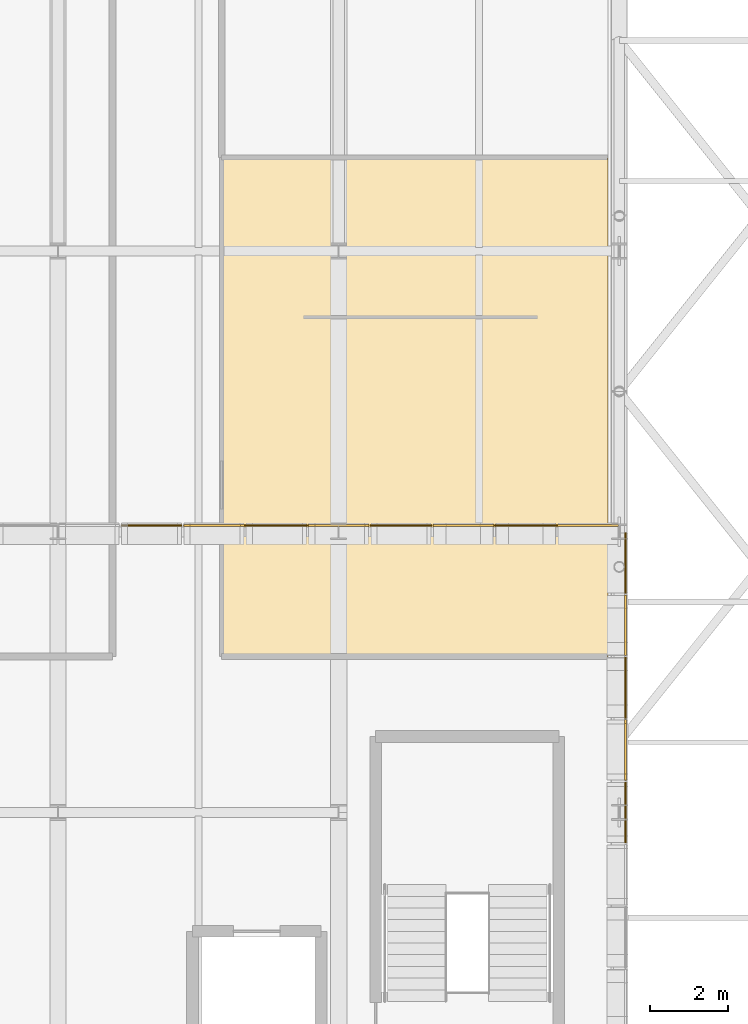
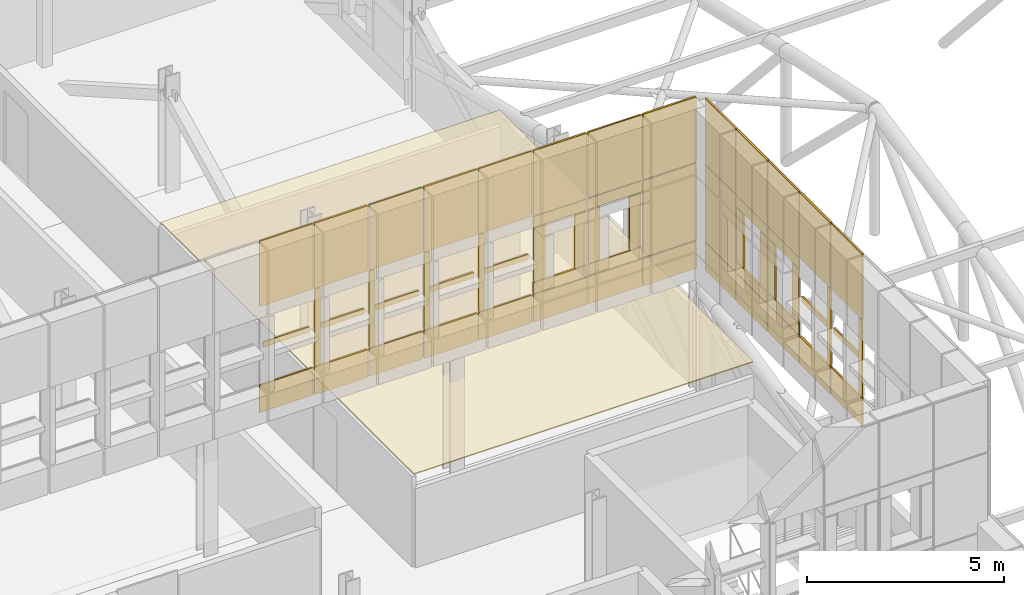
# One storey, part 85 of 96: 58 coverings.
"""IFC4 building model written with IfcOpenShell, lengths in metres."""

from ifc_helpers import new_model, si_unit, direction, frame, origin, origin_2d, place, context, subcontext, project, spatial, polyline, rectangle, outline, extrude, material, layer, layer_set, type_object, element, save


model = new_model("IFC4")

# Units and contexts
model_context = context("Model", 3, precision=1e-05, world=origin(), true_north=direction((0.0, 1.0)))
body_context = subcontext(model_context, "Body", "Model", "MODEL_VIEW")
ifc_project = project(units=[si_unit("LENGTHUNIT", "METRE"), si_unit("AREAUNIT", "SQUARE_METRE"), si_unit("VOLUMEUNIT", "CUBIC_METRE"), si_unit("PLANEANGLEUNIT", "RADIAN"), si_unit("MASSUNIT", "GRAM", prefix="KILO")], contexts=[model_context])

# Site, building, storey
site_placement = place(None, origin())
site = spatial("IfcSite", under=ifc_project, at=site_placement, CompositionType="ELEMENT")
building_placement = place(site_placement, origin())
building = spatial("IfcBuilding", under=site, at=building_placement, Name="Yarey Park Central Fire Station", CompositionType="ELEMENT")
storey_placement = place(building_placement, frame((0.0, 0.0, 14.39990234375)))
storey = spatial("IfcBuildingStorey", under=building, at=storey_placement, Name="L04", CompositionType="ELEMENT", Elevation=14.39990234375)

# Coverings
ifc_material_1 = material(Name="Perforated Powder-Coated Aluminium Cladding", Category="aluminium")
ifc_layer_1 = layer(ifc_material_1, 0.0419921875)
ifc_layer_set_1 = layer_set([ifc_layer_1], Name="Perforated Powder-Coated Aluminium Cladding")
covering_type_1 = type_object("IfcCoveringType", Name="ENV_COV_PERF_1", PredefinedType="CLADDING", material=ifc_layer_set_1)
covering_1_placement = place(storey_placement, frame((45.60009765625, 72.159912109375, 3.635009765625), z_axis=(0.0, 0.0, 1.0), x_axis=(1.0, 0.0, 0.0)))
element("IfcCovering", 1, at=covering_1_placement, inside=storey, type_object=covering_type_1, Name="PERF_L04_1243", PredefinedType="CLADDING", context=body_context, shape_type="SweptSolid", body=[
    extrude(rectangle(XDim=1.56005859375, YDim=0.0419921875, at=origin_2d()), origin(), (0.0, 0.0, 1.0), 0.85009765625),
])
covering_2_placement = place(storey_placement, frame((45.60009765625, 72.159912109375, 5.6201171875), z_axis=(0.0, 0.0, 1.0), x_axis=(1.0, 0.0, 0.0)))
element("IfcCovering", 2, at=covering_2_placement, inside=storey, type_object=covering_type_1, Name="PERF_L04_1245", PredefinedType="CLADDING", context=body_context, shape_type="SweptSolid", body=[
    extrude(rectangle(XDim=1.360107421875, YDim=0.0419921875, at=origin_2d()), origin(), (0.0, 0.0, 1.0), 0.159912109375),
])
covering_3_placement = place(storey_placement, frame((45.60009765625, 72.159912109375, 6.9150390625), z_axis=(0.0, 0.0, 1.0), x_axis=(1.0, 0.0, 0.0)))
element("IfcCovering", 3, at=covering_3_placement, inside=storey, type_object=covering_type_1, Name="PERF_L04_1246", PredefinedType="CLADDING", context=body_context, shape_type="SweptSolid", body=[
    extrude(rectangle(XDim=1.56005859375, YDim=0.0419921875, at=origin_2d()), origin(), (0.0, 0.0, 1.0), 2.02001953125),
])
covering_4_placement = place(storey_placement, frame((48.800048828125, 72.159912109375, 3.635009765625), z_axis=(0.0, 0.0, 1.0), x_axis=(1.0, 0.0, 0.0)))
element("IfcCovering", 4, at=covering_4_placement, inside=storey, type_object=covering_type_1, Name="PERF_L04_1251", PredefinedType="CLADDING", context=body_context, shape_type="SweptSolid", body=[
    extrude(rectangle(XDim=1.56005859375, YDim=0.0419921875, at=origin_2d()), origin(), (0.0, 0.0, 1.0), 0.85009765625),
])
covering_5_placement = place(storey_placement, frame((48.110107421875, 72.159912109375, 4.51513671875), z_axis=(0.0, 0.0, 1.0), x_axis=(1.0, 0.0, 0.0)))
element("IfcCovering", 5, at=covering_5_placement, inside=storey, type_object=covering_type_1, Name="PERF_L04_1252", PredefinedType="CLADDING", context=body_context, shape_type="SweptSolid", body=[
    extrude(rectangle(XDim=0.159912109375, YDim=0.0419921875, at=origin_2d()), origin(), (0.0, 0.0, 1.0), 2.3701171875),
])
covering_6_placement = place(storey_placement, frame((48.800048828125, 72.159912109375, 5.6201171875), z_axis=(0.0, 0.0, 1.0), x_axis=(1.0, 0.0, 0.0)))
element("IfcCovering", 6, at=covering_6_placement, inside=storey, type_object=covering_type_1, Name="PERF_L04_1253", PredefinedType="CLADDING", context=body_context, shape_type="SweptSolid", body=[
    extrude(rectangle(XDim=1.360107421875, YDim=0.0419921875, at=origin_2d()), origin(), (0.0, 0.0, 1.0), 0.159912109375),
])
covering_7_placement = place(storey_placement, frame((48.800048828125, 72.159912109375, 6.9150390625), z_axis=(0.0, 0.0, 1.0), x_axis=(1.0, 0.0, 0.0)))
element("IfcCovering", 7, at=covering_7_placement, inside=storey, type_object=covering_type_1, Name="PERF_L04_1254", PredefinedType="CLADDING", context=body_context, shape_type="SweptSolid", body=[
    extrude(rectangle(XDim=1.56005859375, YDim=0.0419921875, at=origin_2d()), origin(), (0.0, 0.0, 1.0), 2.02001953125),
])
covering_8_placement = place(storey_placement, frame((52.0, 72.159912109375, 3.635009765625), z_axis=(0.0, 0.0, 1.0), x_axis=(1.0, 0.0, 0.0)))
element("IfcCovering", 8, at=covering_8_placement, inside=storey, type_object=covering_type_1, Name="PERF_L04_1259", PredefinedType="CLADDING", context=body_context, shape_type="SweptSolid", body=[
    extrude(rectangle(XDim=1.56005859375, YDim=0.0419921875, at=origin_2d()), origin(), (0.0, 0.0, 1.0), 0.85009765625),
])
covering_9_placement = place(storey_placement, frame((51.31005859375, 72.159912109375, 4.51513671875), z_axis=(0.0, 0.0, 1.0), x_axis=(1.0, 0.0, 0.0)))
element("IfcCovering", 9, at=covering_9_placement, inside=storey, type_object=covering_type_1, Name="PERF_L04_1260", PredefinedType="CLADDING", context=body_context, shape_type="SweptSolid", body=[
    extrude(rectangle(XDim=0.159912109375, YDim=0.0419921875, at=origin_2d()), origin(), (0.0, 0.0, 1.0), 2.3701171875),
])
covering_10_placement = place(storey_placement, frame((52.0, 72.159912109375, 5.6201171875), z_axis=(0.0, 0.0, 1.0), x_axis=(1.0, 0.0, 0.0)))
element("IfcCovering", 10, at=covering_10_placement, inside=storey, type_object=covering_type_1, Name="PERF_L04_1261", PredefinedType="CLADDING", context=body_context, shape_type="SweptSolid", body=[
    extrude(rectangle(XDim=1.360107421875, YDim=0.0419921875, at=origin_2d()), origin(), (0.0, 0.0, 1.0), 0.159912109375),
])
covering_11_placement = place(storey_placement, frame((52.0, 72.159912109375, 6.9150390625), z_axis=(0.0, 0.0, 1.0), x_axis=(1.0, 0.0, 0.0)))
element("IfcCovering", 11, at=covering_11_placement, inside=storey, type_object=covering_type_1, Name="PERF_L04_1262", PredefinedType="CLADDING", context=body_context, shape_type="SweptSolid", body=[
    extrude(rectangle(XDim=1.56005859375, YDim=0.0419921875, at=origin_2d()), origin(), (0.0, 0.0, 1.0), 2.02001953125),
])
covering_12_placement = place(storey_placement, frame((55.199951171875, 72.159912109375, 3.635009765625), z_axis=(0.0, 0.0, 1.0), x_axis=(1.0, 0.0, 0.0)))
element("IfcCovering", 12, at=covering_12_placement, inside=storey, type_object=covering_type_1, Name="PERF_L04_1269", PredefinedType="CLADDING", context=body_context, shape_type="SweptSolid", body=[
    extrude(rectangle(XDim=1.56005859375, YDim=0.0419921875, at=origin_2d()), origin(), (0.0, 0.0, 1.0), 0.85009765625),
])
for number, where, z_axis, x_axis, name in (
    (13, (55.199951171875, 72.159912109375, 4.51025390625), (0.0, 0.0, 1.0), (1.0, 0.0, 0.0), "PERF_L04_1270"),
    (14, (55.199951171875, 72.159912109375, 6.55029296875), (0.0, 0.0, 1.0), (1.0, 0.0, 0.0), "PERF_L04_1271"),
):
    element("IfcCovering", number, at=place(storey_placement, frame(where, z_axis=z_axis, x_axis=x_axis)), inside=storey, type_object=covering_type_1, Name=name, PredefinedType="CLADDING", context=body_context, shape_type="SweptSolid", body=[
        extrude(rectangle(XDim=1.56005859375, YDim=0.0419921875, at=origin_2d()), origin(), (0.0, 0.0, 1.0), 0.340087890625),
    ])
for number, where, z_axis, x_axis, name in (
    (15, (54.60009765625, 72.159912109375, 4.875244140625), (0.0, 0.0, 1.0), (1.0, 0.0, 0.0), "PERF_L04_1272"),
    (16, (55.800048828125, 72.159912109375, 4.875244140625), (0.0, 0.0, 1.0), (1.0, 0.0, 0.0), "PERF_L04_1273"),
):
    element("IfcCovering", number, at=place(storey_placement, frame(where, z_axis=z_axis, x_axis=x_axis)), inside=storey, type_object=covering_type_1, Name=name, PredefinedType="CLADDING", context=body_context, shape_type="SweptSolid", body=[
        extrude(rectangle(XDim=0.340087890625, YDim=0.0419921875, at=origin_2d()), origin(), (0.0, 0.0, 1.0), 1.64990234375),
    ])
covering_13_placement = place(storey_placement, frame((55.199951171875, 72.159912109375, 6.9150390625), z_axis=(0.0, 0.0, 1.0), x_axis=(1.0, 0.0, 0.0)))
element("IfcCovering", 17, at=covering_13_placement, inside=storey, type_object=covering_type_1, Name="PERF_L04_1274", PredefinedType="CLADDING", context=body_context, shape_type="SweptSolid", body=[
    extrude(rectangle(XDim=1.56005859375, YDim=0.0419921875, at=origin_2d()), origin(), (0.0, 0.0, 1.0), 2.02001953125),
])
covering_14_placement = place(storey_placement, frame((57.760009765625, 64.800048828125, 3.635009765625), z_axis=(0.0, 0.0, 1.0), x_axis=(0.0, 1.0, 0.0)))
element("IfcCovering", 18, at=covering_14_placement, inside=storey, type_object=covering_type_1, Name="PERF_L04_1339", PredefinedType="CLADDING", context=body_context, shape_type="SweptSolid", body=[
    extrude(rectangle(XDim=1.56005859375, YDim=0.0419921875, at=origin_2d()), origin(), (0.0, 0.0, 1.0), 0.85009765625),
])
covering_15_placement = place(storey_placement, frame((57.760009765625, 64.110107421875, 4.51513671875), z_axis=(0.0, 0.0, 1.0), x_axis=(0.0, 1.0, 0.0)))
element("IfcCovering", 19, at=covering_15_placement, inside=storey, type_object=covering_type_1, Name="PERF_L04_1340", PredefinedType="CLADDING", context=body_context, shape_type="SweptSolid", body=[
    extrude(rectangle(XDim=0.159912109375, YDim=0.0419921875, at=origin_2d()), origin(), (0.0, 0.0, 1.0), 2.3701171875),
])
covering_16_placement = place(storey_placement, frame((57.760009765625, 64.800048828125, 5.6201171875), z_axis=(0.0, 0.0, 1.0), x_axis=(0.0, 1.0, 0.0)))
element("IfcCovering", 20, at=covering_16_placement, inside=storey, type_object=covering_type_1, Name="PERF_L04_1341", PredefinedType="CLADDING", context=body_context, shape_type="SweptSolid", body=[
    extrude(rectangle(XDim=1.360107421875, YDim=0.0419921875, at=origin_2d()), origin(), (0.0, 0.0, 1.0), 0.159912109375),
])
covering_17_placement = place(storey_placement, frame((57.760009765625, 64.800048828125, 6.9150390625), z_axis=(0.0, 0.0, 1.0), x_axis=(0.0, 1.0, 0.0)))
element("IfcCovering", 21, at=covering_17_placement, inside=storey, type_object=covering_type_1, Name="PERF_L04_1342", PredefinedType="CLADDING", context=body_context, shape_type="SweptSolid", body=[
    extrude(rectangle(XDim=1.56005859375, YDim=0.0419921875, at=origin_2d()), origin(), (0.0, 0.0, 1.0), 2.02001953125),
])
covering_18_placement = place(storey_placement, frame((57.760009765625, 68.0, 3.635009765625), z_axis=(0.0, 0.0, 1.0), x_axis=(0.0, 1.0, 0.0)))
element("IfcCovering", 22, at=covering_18_placement, inside=storey, type_object=covering_type_1, Name="PERF_L04_1347", PredefinedType="CLADDING", context=body_context, shape_type="SweptSolid", body=[
    extrude(rectangle(XDim=1.56005859375, YDim=0.0419921875, at=origin_2d()), origin(), (0.0, 0.0, 1.0), 0.85009765625),
])
for number, where, z_axis, x_axis, name in (
    (23, (57.760009765625, 68.0, 4.51025390625), (0.0, 0.0, 1.0), (0.0, 1.0, 0.0), "PERF_L04_1348"),
    (24, (57.760009765625, 68.0, 6.55029296875), (0.0, 0.0, 1.0), (0.0, 1.0, 0.0), "PERF_L04_1349"),
):
    element("IfcCovering", number, at=place(storey_placement, frame(where, z_axis=z_axis, x_axis=x_axis)), inside=storey, type_object=covering_type_1, Name=name, PredefinedType="CLADDING", context=body_context, shape_type="SweptSolid", body=[
        extrude(rectangle(XDim=1.56005859375, YDim=0.0419921875, at=origin_2d()), origin(), (0.0, 0.0, 1.0), 0.340087890625),
    ])
for number, where, z_axis, x_axis, name in (
    (25, (57.760009765625, 67.39990234375, 4.875244140625), (0.0, 0.0, 1.0), (0.0, 1.0, 0.0), "PERF_L04_1350"),
    (26, (57.760009765625, 68.60009765625, 4.875244140625), (0.0, 0.0, 1.0), (0.0, 1.0, 0.0), "PERF_L04_1351"),
):
    element("IfcCovering", number, at=place(storey_placement, frame(where, z_axis=z_axis, x_axis=x_axis)), inside=storey, type_object=covering_type_1, Name=name, PredefinedType="CLADDING", context=body_context, shape_type="SweptSolid", body=[
        extrude(rectangle(XDim=0.340087890625, YDim=0.0419921875, at=origin_2d()), origin(), (0.0, 0.0, 1.0), 1.64990234375),
    ])
covering_19_placement = place(storey_placement, frame((57.760009765625, 68.0, 6.9150390625), z_axis=(0.0, 0.0, 1.0), x_axis=(0.0, 1.0, 0.0)))
element("IfcCovering", 27, at=covering_19_placement, inside=storey, type_object=covering_type_1, Name="PERF_L04_1352", PredefinedType="CLADDING", context=body_context, shape_type="SweptSolid", body=[
    extrude(rectangle(XDim=1.56005859375, YDim=0.0419921875, at=origin_2d()), origin(), (0.0, 0.0, 1.0), 2.02001953125),
])
covering_20_placement = place(storey_placement, frame((57.760009765625, 71.199951171875, 3.635009765625), z_axis=(0.0, 0.0, 1.0), x_axis=(0.0, 1.0, 0.0)))
element("IfcCovering", 28, at=covering_20_placement, inside=storey, type_object=covering_type_1, Name="PERF_L04_1359", PredefinedType="CLADDING", context=body_context, shape_type="SweptSolid", body=[
    extrude(rectangle(XDim=1.56005859375, YDim=0.0419921875, at=origin_2d()), origin(), (0.0, 0.0, 1.0), 0.85009765625),
])
covering_21_placement = place(storey_placement, frame((57.760009765625, 71.199951171875, 4.51513671875), z_axis=(0.0, 0.0, 1.0), x_axis=(0.0, 1.0, 0.0)))
element("IfcCovering", 29, at=covering_21_placement, inside=storey, type_object=covering_type_1, Name="PERF_L04_1360", PredefinedType="CLADDING", context=body_context, shape_type="SweptSolid", body=[
    extrude(rectangle(XDim=1.56005859375, YDim=0.0419921875, at=origin_2d()), origin(), (0.0, 0.0, 1.0), 2.3701171875),
])
covering_22_placement = place(storey_placement, frame((57.760009765625, 71.199951171875, 6.9150390625), z_axis=(0.0, 0.0, 1.0), x_axis=(0.0, 1.0, 0.0)))
element("IfcCovering", 30, at=covering_22_placement, inside=storey, type_object=covering_type_1, Name="PERF_L04_1361", PredefinedType="CLADDING", context=body_context, shape_type="SweptSolid", body=[
    extrude(rectangle(XDim=1.56005859375, YDim=0.0419921875, at=origin_2d()), origin(), (0.0, 0.0, 1.0), 2.02001953125),
])
ifc_layer_2 = layer(ifc_material_1, 0.053955078125)
ifc_layer_set_2 = layer_set([ifc_layer_2], Name="Perforated Powder-Coated Aluminium Cladding")
covering_type_2 = type_object("IfcCoveringType", Name="ENV_COV_PERF_2", PredefinedType="CLADDING", material=ifc_layer_set_2)
covering_23_placement = place(storey_placement, frame((47.199951171875, 72.159912109375, 3.635009765625), z_axis=(0.0, 0.0, 1.0), x_axis=(1.0, 0.0, 0.0)))
element("IfcCovering", 31, at=covering_23_placement, inside=storey, type_object=covering_type_2, Name="PERF_L04_1247", PredefinedType="CLADDING", context=body_context, shape_type="SweptSolid", body=[
    extrude(rectangle(XDim=1.56005859375, YDim=0.053955078125, at=origin_2d()), origin(), (0.0, 0.0, 1.0), 0.85009765625),
])
covering_24_placement = place(storey_placement, frame((46.510009765625, 72.159912109375, 4.51513671875), z_axis=(0.0, 0.0, 1.0), x_axis=(1.0, 0.0, 0.0)))
element("IfcCovering", 32, at=covering_24_placement, inside=storey, type_object=covering_type_2, Name="PERF_L04_1248", PredefinedType="CLADDING", context=body_context, shape_type="SweptSolid", body=[
    extrude(rectangle(XDim=0.159912109375, YDim=0.053955078125, at=origin_2d()), origin(), (0.0, 0.0, 1.0), 2.3701171875),
])
covering_25_placement = place(storey_placement, frame((47.199951171875, 72.159912109375, 5.6201171875), z_axis=(0.0, 0.0, 1.0), x_axis=(1.0, 0.0, 0.0)))
element("IfcCovering", 33, at=covering_25_placement, inside=storey, type_object=covering_type_2, Name="PERF_L04_1249", PredefinedType="CLADDING", context=body_context, shape_type="SweptSolid", body=[
    extrude(rectangle(XDim=1.360107421875, YDim=0.053955078125, at=origin_2d()), origin(), (0.0, 0.0, 1.0), 0.159912109375),
])
covering_26_placement = place(storey_placement, frame((47.199951171875, 72.159912109375, 6.9150390625), z_axis=(0.0, 0.0, 1.0), x_axis=(1.0, 0.0, 0.0)))
element("IfcCovering", 34, at=covering_26_placement, inside=storey, type_object=covering_type_2, Name="PERF_L04_1250", PredefinedType="CLADDING", context=body_context, shape_type="SweptSolid", body=[
    extrude(rectangle(XDim=1.56005859375, YDim=0.053955078125, at=origin_2d()), origin(), (0.0, 0.0, 1.0), 2.02001953125),
])
covering_27_placement = place(storey_placement, frame((50.39990234375, 72.159912109375, 3.635009765625), z_axis=(0.0, 0.0, 1.0), x_axis=(1.0, 0.0, 0.0)))
element("IfcCovering", 35, at=covering_27_placement, inside=storey, type_object=covering_type_2, Name="PERF_L04_1255", PredefinedType="CLADDING", context=body_context, shape_type="SweptSolid", body=[
    extrude(rectangle(XDim=1.56005859375, YDim=0.053955078125, at=origin_2d()), origin(), (0.0, 0.0, 1.0), 0.85009765625),
])
covering_28_placement = place(storey_placement, frame((49.7099609375, 72.159912109375, 4.51513671875), z_axis=(0.0, 0.0, 1.0), x_axis=(1.0, 0.0, 0.0)))
element("IfcCovering", 36, at=covering_28_placement, inside=storey, type_object=covering_type_2, Name="PERF_L04_1256", PredefinedType="CLADDING", context=body_context, shape_type="SweptSolid", body=[
    extrude(rectangle(XDim=0.159912109375, YDim=0.053955078125, at=origin_2d()), origin(), (0.0, 0.0, 1.0), 2.3701171875),
])
covering_29_placement = place(storey_placement, frame((50.39990234375, 72.159912109375, 5.6201171875), z_axis=(0.0, 0.0, 1.0), x_axis=(1.0, 0.0, 0.0)))
element("IfcCovering", 37, at=covering_29_placement, inside=storey, type_object=covering_type_2, Name="PERF_L04_1257", PredefinedType="CLADDING", context=body_context, shape_type="SweptSolid", body=[
    extrude(rectangle(XDim=1.360107421875, YDim=0.053955078125, at=origin_2d()), origin(), (0.0, 0.0, 1.0), 0.159912109375),
])
covering_30_placement = place(storey_placement, frame((50.39990234375, 72.159912109375, 6.9150390625), z_axis=(0.0, 0.0, 1.0), x_axis=(1.0, 0.0, 0.0)))
element("IfcCovering", 38, at=covering_30_placement, inside=storey, type_object=covering_type_2, Name="PERF_L04_1258", PredefinedType="CLADDING", context=body_context, shape_type="SweptSolid", body=[
    extrude(rectangle(XDim=1.56005859375, YDim=0.053955078125, at=origin_2d()), origin(), (0.0, 0.0, 1.0), 2.02001953125),
])
covering_31_placement = place(storey_placement, frame((53.60009765625, 72.159912109375, 3.635009765625), z_axis=(0.0, 0.0, 1.0), x_axis=(1.0, 0.0, 0.0)))
element("IfcCovering", 39, at=covering_31_placement, inside=storey, type_object=covering_type_2, Name="PERF_L04_1263", PredefinedType="CLADDING", context=body_context, shape_type="SweptSolid", body=[
    extrude(rectangle(XDim=1.56005859375, YDim=0.053955078125, at=origin_2d()), origin(), (0.0, 0.0, 1.0), 0.85009765625),
])
for number, where, z_axis, x_axis, name in (
    (40, (53.60009765625, 72.159912109375, 4.51025390625), (0.0, 0.0, 1.0), (1.0, 0.0, 0.0), "PERF_L04_1264"),
    (41, (53.60009765625, 72.159912109375, 6.55029296875), (0.0, 0.0, 1.0), (1.0, 0.0, 0.0), "PERF_L04_1265"),
):
    element("IfcCovering", number, at=place(storey_placement, frame(where, z_axis=z_axis, x_axis=x_axis)), inside=storey, type_object=covering_type_2, Name=name, PredefinedType="CLADDING", context=body_context, shape_type="SweptSolid", body=[
        extrude(rectangle(XDim=1.56005859375, YDim=0.053955078125, at=origin_2d()), origin(), (0.0, 0.0, 1.0), 0.340087890625),
    ])
for number, where, z_axis, x_axis, name in (
    (42, (53.0, 72.159912109375, 4.875244140625), (0.0, 0.0, 1.0), (1.0, 0.0, 0.0), "PERF_L04_1266"),
    (43, (54.199951171875, 72.159912109375, 4.875244140625), (0.0, 0.0, 1.0), (1.0, 0.0, 0.0), "PERF_L04_1267"),
):
    element("IfcCovering", number, at=place(storey_placement, frame(where, z_axis=z_axis, x_axis=x_axis)), inside=storey, type_object=covering_type_2, Name=name, PredefinedType="CLADDING", context=body_context, shape_type="SweptSolid", body=[
        extrude(rectangle(XDim=0.340087890625, YDim=0.053955078125, at=origin_2d()), origin(), (0.0, 0.0, 1.0), 1.64990234375),
    ])
covering_32_placement = place(storey_placement, frame((53.60009765625, 72.159912109375, 6.9150390625), z_axis=(0.0, 0.0, 1.0), x_axis=(1.0, 0.0, 0.0)))
element("IfcCovering", 44, at=covering_32_placement, inside=storey, type_object=covering_type_2, Name="PERF_L04_1268", PredefinedType="CLADDING", context=body_context, shape_type="SweptSolid", body=[
    extrude(rectangle(XDim=1.56005859375, YDim=0.053955078125, at=origin_2d()), origin(), (0.0, 0.0, 1.0), 2.02001953125),
])
covering_33_placement = place(storey_placement, frame((56.800048828125, 72.159912109375, 3.635009765625), z_axis=(0.0, 0.0, 1.0), x_axis=(1.0, 0.0, 0.0)))
element("IfcCovering", 45, at=covering_33_placement, inside=storey, type_object=covering_type_2, Name="PERF_L04_1275", PredefinedType="CLADDING", context=body_context, shape_type="SweptSolid", body=[
    extrude(rectangle(XDim=1.56005859375, YDim=0.053955078125, at=origin_2d()), origin(), (0.0, 0.0, 1.0), 0.85009765625),
])
covering_34_placement = place(storey_placement, frame((56.800048828125, 72.159912109375, 4.51513671875), z_axis=(0.0, 0.0, 1.0), x_axis=(1.0, 0.0, 0.0)))
element("IfcCovering", 46, at=covering_34_placement, inside=storey, type_object=covering_type_2, Name="PERF_L04_1276", PredefinedType="CLADDING", context=body_context, shape_type="SweptSolid", body=[
    extrude(rectangle(XDim=1.56005859375, YDim=0.053955078125, at=origin_2d()), origin(), (0.0, 0.0, 1.0), 2.3701171875),
])
covering_35_placement = place(storey_placement, frame((56.800048828125, 72.159912109375, 6.9150390625), z_axis=(0.0, 0.0, 1.0), x_axis=(1.0, 0.0, 0.0)))
element("IfcCovering", 47, at=covering_35_placement, inside=storey, type_object=covering_type_2, Name="PERF_L04_1277", PredefinedType="CLADDING", context=body_context, shape_type="SweptSolid", body=[
    extrude(rectangle(XDim=1.56005859375, YDim=0.053955078125, at=origin_2d()), origin(), (0.0, 0.0, 1.0), 2.02001953125),
])
covering_36_placement = place(storey_placement, frame((57.760009765625, 66.39990234375, 3.635009765625), z_axis=(0.0, 0.0, 1.0), x_axis=(0.0, 1.0, 0.0)))
element("IfcCovering", 48, at=covering_36_placement, inside=storey, type_object=covering_type_2, Name="PERF_L04_1343", PredefinedType="CLADDING", context=body_context, shape_type="SweptSolid", body=[
    extrude(rectangle(XDim=1.56005859375, YDim=0.053955078125, at=origin_2d()), origin(), (0.0, 0.0, 1.0), 0.85009765625),
])
covering_37_placement = place(storey_placement, frame((57.760009765625, 65.7099609375, 4.51513671875), z_axis=(0.0, 0.0, 1.0), x_axis=(0.0, 1.0, 0.0)))
element("IfcCovering", 49, at=covering_37_placement, inside=storey, type_object=covering_type_2, Name="PERF_L04_1344", PredefinedType="CLADDING", context=body_context, shape_type="SweptSolid", body=[
    extrude(rectangle(XDim=0.159912109375, YDim=0.053955078125, at=origin_2d()), origin(), (0.0, 0.0, 1.0), 2.3701171875),
])
covering_38_placement = place(storey_placement, frame((57.760009765625, 66.39990234375, 5.6201171875), z_axis=(0.0, 0.0, 1.0), x_axis=(0.0, 1.0, 0.0)))
element("IfcCovering", 50, at=covering_38_placement, inside=storey, type_object=covering_type_2, Name="PERF_L04_1345", PredefinedType="CLADDING", context=body_context, shape_type="SweptSolid", body=[
    extrude(rectangle(XDim=1.360107421875, YDim=0.053955078125, at=origin_2d()), origin(), (0.0, 0.0, 1.0), 0.159912109375),
])
covering_39_placement = place(storey_placement, frame((57.760009765625, 66.39990234375, 6.9150390625), z_axis=(0.0, 0.0, 1.0), x_axis=(0.0, 1.0, 0.0)))
element("IfcCovering", 51, at=covering_39_placement, inside=storey, type_object=covering_type_2, Name="PERF_L04_1346", PredefinedType="CLADDING", context=body_context, shape_type="SweptSolid", body=[
    extrude(rectangle(XDim=1.56005859375, YDim=0.053955078125, at=origin_2d()), origin(), (0.0, 0.0, 1.0), 2.02001953125),
])
covering_40_placement = place(storey_placement, frame((57.760009765625, 69.60009765625, 3.635009765625), z_axis=(0.0, 0.0, 1.0), x_axis=(0.0, 1.0, 0.0)))
element("IfcCovering", 52, at=covering_40_placement, inside=storey, type_object=covering_type_2, Name="PERF_L04_1353", PredefinedType="CLADDING", context=body_context, shape_type="SweptSolid", body=[
    extrude(rectangle(XDim=1.56005859375, YDim=0.053955078125, at=origin_2d()), origin(), (0.0, 0.0, 1.0), 0.85009765625),
])
for number, where, z_axis, x_axis, name in (
    (53, (57.760009765625, 69.60009765625, 4.51025390625), (0.0, 0.0, 1.0), (0.0, 1.0, 0.0), "PERF_L04_1354"),
    (54, (57.760009765625, 69.60009765625, 6.55029296875), (0.0, 0.0, 1.0), (0.0, 1.0, 0.0), "PERF_L04_1355"),
):
    element("IfcCovering", number, at=place(storey_placement, frame(where, z_axis=z_axis, x_axis=x_axis)), inside=storey, type_object=covering_type_2, Name=name, PredefinedType="CLADDING", context=body_context, shape_type="SweptSolid", body=[
        extrude(rectangle(XDim=1.56005859375, YDim=0.053955078125, at=origin_2d()), origin(), (0.0, 0.0, 1.0), 0.340087890625),
    ])
for number, where, z_axis, x_axis, name in (
    (55, (57.760009765625, 69.0, 4.875244140625), (0.0, 0.0, 1.0), (0.0, 1.0, 0.0), "PERF_L04_1356"),
    (56, (57.760009765625, 70.199951171875, 4.875244140625), (0.0, 0.0, 1.0), (0.0, 1.0, 0.0), "PERF_L04_1357"),
):
    element("IfcCovering", number, at=place(storey_placement, frame(where, z_axis=z_axis, x_axis=x_axis)), inside=storey, type_object=covering_type_2, Name=name, PredefinedType="CLADDING", context=body_context, shape_type="SweptSolid", body=[
        extrude(rectangle(XDim=0.340087890625, YDim=0.053955078125, at=origin_2d()), origin(), (0.0, 0.0, 1.0), 1.64990234375),
    ])
covering_41_placement = place(storey_placement, frame((57.760009765625, 69.60009765625, 6.9150390625), z_axis=(0.0, 0.0, 1.0), x_axis=(0.0, 1.0, 0.0)))
element("IfcCovering", 57, at=covering_41_placement, inside=storey, type_object=covering_type_2, Name="PERF_L04_1358", PredefinedType="CLADDING", context=body_context, shape_type="SweptSolid", body=[
    extrude(rectangle(XDim=1.56005859375, YDim=0.053955078125, at=origin_2d()), origin(), (0.0, 0.0, 1.0), 2.02001953125),
])
ifc_material_2 = material(Name="Acoustic Mineral Fibre Tile", Category="finish")
ifc_layer_3 = layer(ifc_material_2, 0.031982421875)
ifc_layer_set_3 = layer_set([ifc_layer_3], Name="Acoustic Mineral Fibre Tile")
covering_type_3 = type_object("IfcCoveringType", Name="INT_CEIL_ACT_2", PredefinedType="CEILING", material=ifc_layer_set_3)
covering_42_placement = place(storey_placement, frame((0.0, 0.0, 2.85009765625)))
element("IfcCovering", 58, at=covering_42_placement, inside=storey, type_object=covering_type_3, Name="CEIL_SPC_L04_SIM1", PredefinedType="CEILING", context=body_context, shape_type="SweptSolid", body=[
    extrude(outline(polyline([(47.389892578125, 68.7900390625), (57.31005859375, 68.7900390625), (57.31005859375, 81.610107421875), (47.389892578125, 81.610107421875), (47.389892578125, 68.7900390625)])), origin(), (0.0, 0.0, 1.0), 0.031982421875),
])

save(model, "model.ifc")
